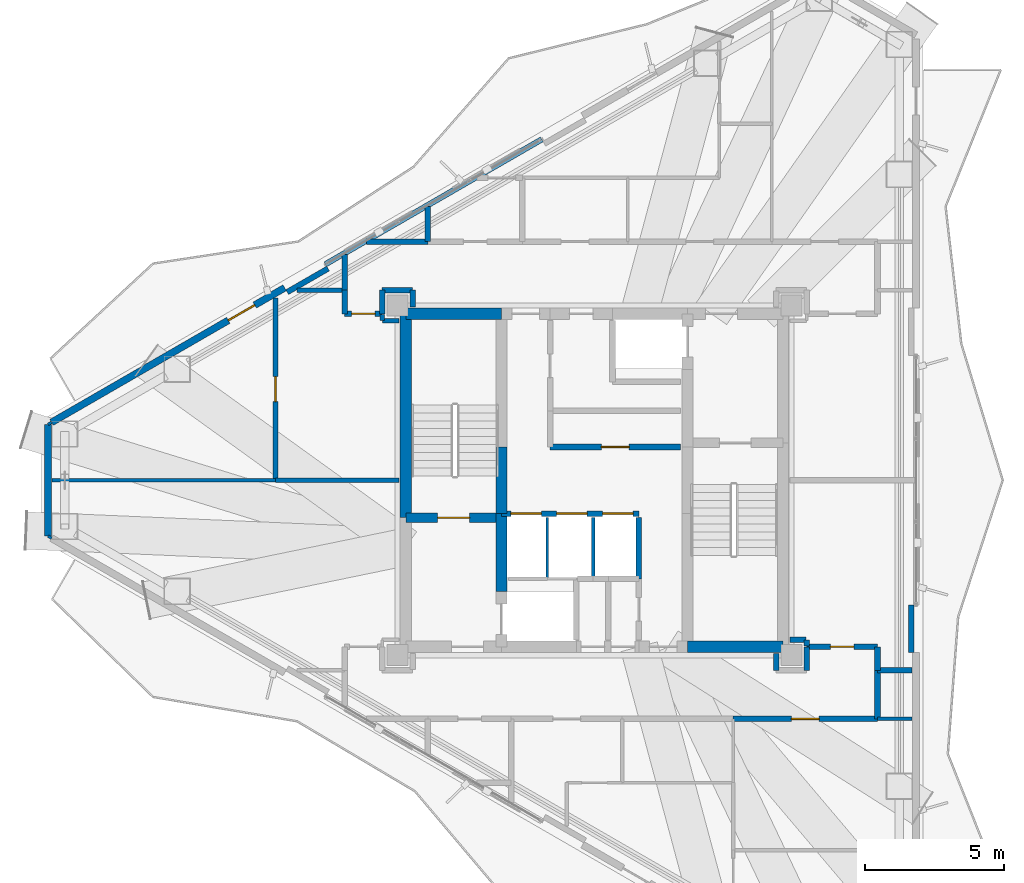
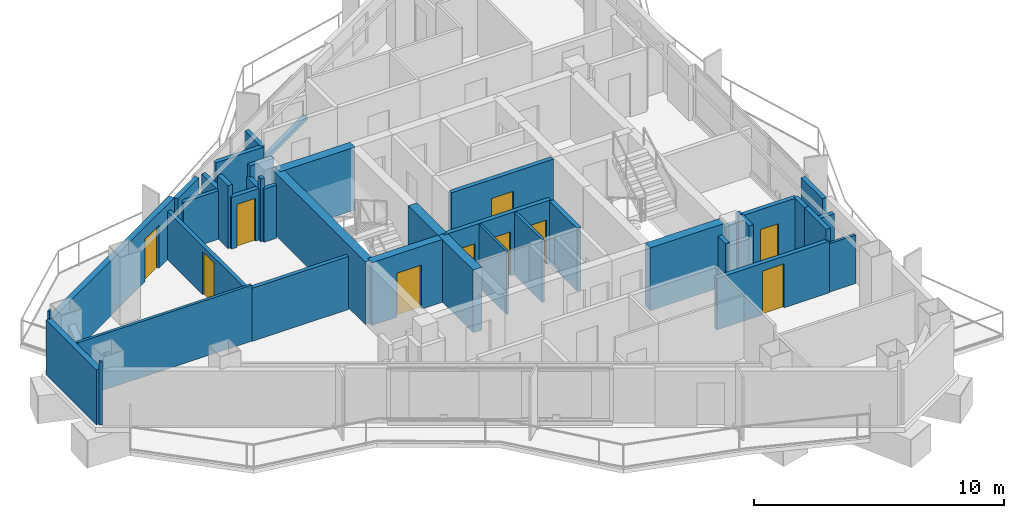
# One storey, part 15 of 19: 42 walls, 10 doors, 10 openings.
"""IFC4 building model written with IfcOpenShell, lengths in metres."""

from ifc_helpers import new_model, si_unit, direction, frame, frame_2d, origin, place, context, subcontext, project, spatial, rectangle, extrude, material, layer, layer_set, type_object, element, fill, save


model = new_model("IFC4")

# Units and contexts
model_context = context("Model", 3, precision=1e-05, world=origin(), true_north=direction((0.0, 1.0)))
body_context = subcontext(model_context, "Body", "Model", "MODEL_VIEW")
ifc_project = project(units=[si_unit("LENGTHUNIT", "METRE"), si_unit("AREAUNIT", "SQUARE_METRE"), si_unit("VOLUMEUNIT", "CUBIC_METRE"), si_unit("PLANEANGLEUNIT", "RADIAN"), si_unit("MASSUNIT", "GRAM", prefix="KILO")], contexts=[model_context])

# Site, building, storey
site_placement = place(None, origin())
site = spatial("IfcSite", under=ifc_project, at=site_placement, CompositionType="ELEMENT")
building_placement = place(site_placement, origin())
building = spatial("IfcBuilding", under=site, at=building_placement, Name="Mersakhor Tower and Convention Hall", CompositionType="ELEMENT")
storey_placement = place(building_placement, frame((0.0, 0.0, 175.5)))
storey = spatial("IfcBuildingStorey", under=building, at=storey_placement, Name="L48", CompositionType="ELEMENT", Elevation=175.5)

# Wall
ifc_material_1 = material(Name="Precast concrete C40/50", Category="concrete")
ifc_layer_1 = layer(ifc_material_1, 0.25)
ifc_layer_set_1 = layer_set([ifc_layer_1], Name="Precast concrete C40/50")
wall_type_1 = type_object("IfcWallType", Name="WL-EXT-250", PredefinedType="SOLIDWALL", material=ifc_layer_set_1)
wall_1_placement = place(storey_placement, frame((9.3076171875, 24.73828125, 0.0), z_axis=(0.0, 0.0, 1.0), x_axis=(0.0, 1.0, 0.0)))
element("IfcWall", 1, at=wall_1_placement, inside=storey, type_object=wall_type_1, Name="L48 Chamfer Braced Spandrel Wall C3", PredefinedType="SOLIDWALL", context=body_context, shape_type="SweptSolid", body=[
    extrude(rectangle(XDim=4.0234375, YDim=0.25, at=frame_2d((2.01171875, 0.0))), origin(), (0.0, 0.0, 1.0), 2.68994140625),
])

# Wall, opening, door
wall_2_placement = place(storey_placement, frame((9.4375, 28.836669921875, 0.0), z_axis=(0.0, 0.0, 1.0), x_axis=(0.866027133173, 0.499997004599, 0.0)))
wall_2 = element("IfcWall", 2, at=wall_2_placement, inside=storey, type_object=wall_type_1, Name="L48 Exterior Facade Wall F1-B1", PredefinedType="SOLIDWALL", context=body_context, shape_type="SweptSolid", body=[
    extrude(rectangle(XDim=9.69873046875, YDim=0.25, at=frame_2d((4.849365234375, 0.0))), origin(), (0.0, 0.0, 1.0), 2.68994140625),
])
opening_1_placement = place(wall_2_placement, frame((7.35205078125, 0.0, 0.0)))
opening_1 = element("IfcOpeningElement", 3, at=opening_1_placement, cuts=wall_2, Name="Opening BD-02", PredefinedType="OPENING", context=body_context, shape_type="SweptSolid", body=[
    extrude(rectangle(XDim=1.10009765625, YDim=2.10009765625, at=frame_2d((0.550048828125, 1.050048828125))), frame((0.0, 0.135009765625, 0.0), z_axis=(0.0, -1.0, 0.0), x_axis=(1.0, 0.0, 0.0)), (0.0, 0.0, 1.0), 0.27001953125),
])
ifc_material_2 = material(Name="Thermally broken dark aluminium and safety glass", Category="aluminium")
door_type_1 = type_object("IfcDoorType", Name="DR-BAL-110x210", OperationType="NOTDEFINED", PredefinedType="DOOR", material=ifc_material_2)
door_1_placement = place(opening_1_placement, origin())
door_1 = element("IfcDoor", 4, at=door_1_placement, inside=storey, type_object=door_type_1, Name="L48 Balcony Terrace Door F1-B1", OperationType="SINGLE_SWING_RIGHT", OverallHeight=2.10009765625, OverallWidth=1.10009765625, PredefinedType="DOOR", context=body_context, shape_type="SweptSolid", body=[
    extrude(rectangle(XDim=1.10009765625, YDim=2.10009765625, at=frame_2d((0.550048828125, 1.050048828125))), frame((0.0, 0.02490234375, 0.0), z_axis=(0.0, -1.0, 0.0), x_axis=(1.0, 0.0, 0.0)), (0.0, 0.0, 1.0), 0.050048828125),
])
fill(opening_1, door_1)

# Walls
ifc_material_3 = material(Name="Precast concrete C40/50", Category="concrete")
ifc_layer_2 = layer(ifc_material_3, 0.199951171875)
ifc_layer_set_2 = layer_set([ifc_layer_2], Name="Precast concrete C40/50")
wall_type_2 = type_object("IfcWallType", Name="WL-PAR-200", PredefinedType="PARAPET", material=ifc_layer_set_2)
wall_3_placement = place(storey_placement, frame((19.30908203125, 34.5361328125, 0.0), z_axis=(0.0, 0.0, 1.0), x_axis=(0.866020680503, 0.500008180874, 0.0)))
element("IfcWall", 5, at=wall_3_placement, inside=storey, type_object=wall_type_2, Name="L48 Curtain Wall Upstand Sill F1-B2", PredefinedType="PARAPET", context=body_context, shape_type="SweptSolid", body=[
    extrude(rectangle(XDim=8.998779296875, YDim=0.199951171875, at=frame_2d((4.49951171875, 0.0))), origin(), (0.0, 0.0, 1.0), 0.199951171875),
])
for number, where, z_axis, x_axis, name in (
    (6, (17.927001953125, 33.5302734375, 0.0), (0.0, 0.0, 1.0), (0.86605165483, 0.499954529098, 0.0), "L48 Column Pier Cladding Wall F1-C1"),
    (7, (40.408447265625, 22.25048828125, 0.0), (0.0, 0.0, 1.0), (0.0, -1.0, 0.0), "L48 Column Pier Cladding Wall F2-C2"),
):
    element("IfcWall", number, at=place(storey_placement, frame(where, z_axis=z_axis, x_axis=x_axis)), inside=storey, type_object=wall_type_2, Name=name, PredefinedType="PARAPET", context=body_context, shape_type="SweptSolid", body=[
        extrude(rectangle(XDim=1.699951171875, YDim=0.199951171875, at=frame_2d((0.85009765625, 0.0))), origin(), (0.0, 0.0, 1.0), 2.68994140625),
    ])
ifc_material_4 = material(Name="Moisture-resistant acoustic drywall studwork", Category="other")
ifc_layer_3 = layer(ifc_material_4, 0.175048828125)
ifc_layer_set_3 = layer_set([ifc_layer_3], Name="Moisture-resistant acoustic drywall studwork")
wall_type_3 = type_object("IfcWallType", Name="WL-PLM-175", PredefinedType="PLUMBINGWALL", material=ifc_layer_set_3)
wall_4_placement = place(storey_placement, frame((21.35009765625, 32.719970703125, 0.0), z_axis=(0.0, 0.0, 1.0), x_axis=(0.0, -1.0, 0.0)))
element("IfcWall", 8, at=wall_4_placement, inside=storey, type_object=wall_type_3, Name="L48 Interior Partition Wall P-050", PredefinedType="PLUMBINGWALL", context=body_context, shape_type="SweptSolid", body=[
    extrude(rectangle(XDim=0.219970703125, YDim=0.175048828125, at=frame_2d((0.10986328125, 0.0))), origin(), (0.0, 0.0, 1.0), 3.070068359375),
])
wall_5_placement = place(storey_placement, frame((21.364990234375, 32.5, 0.0), z_axis=(0.0, 0.0, 1.0), x_axis=(1.0, 0.0, 0.0)))
element("IfcWall", 9, at=wall_5_placement, inside=storey, type_object=wall_type_3, Name="L48 Interior Partition Wall P-051", PredefinedType="PLUMBINGWALL", context=body_context, shape_type="SweptSolid", body=[
    extrude(rectangle(XDim=0.5849609375, YDim=0.175048828125, at=frame_2d((0.29248046875, 0.0))), origin(), (0.0, 0.0, 1.0), 2.594970703125),
])
wall_6_placement = place(storey_placement, frame((21.949951171875, 26.75, 0.0), z_axis=(0.0, 0.0, 1.0), x_axis=(-1.0, 0.0, 0.0)))
element("IfcWall", 10, at=wall_6_placement, inside=storey, type_object=wall_type_3, Name="L48 Interior Partition Wall P-052", PredefinedType="PLUMBINGWALL", context=body_context, shape_type="SweptSolid", body=[
    extrude(rectangle(XDim=4.449951171875, YDim=0.175048828125, at=frame_2d((2.22509765625, 0.0))), origin(), (0.0, 0.0, 1.0), 2.594970703125),
])

# Wall, opening, door
wall_7_placement = place(storey_placement, frame((17.5, 26.75, 0.0), z_axis=(0.0, 0.0, 1.0), x_axis=(0.0, 1.0, 0.0)))
wall_7 = element("IfcWall", 11, at=wall_7_placement, inside=storey, type_object=wall_type_3, Name="L48 Interior Partition Wall P-053", PredefinedType="PLUMBINGWALL", context=body_context, shape_type="SweptSolid", body=[
    extrude(rectangle(XDim=6.569580078125, YDim=0.175048828125, at=frame_2d((3.28466796875, 0.0))), origin(), (0.0, 0.0, 1.0), 2.364990234375),
])
opening_2_placement = place(wall_7_placement, frame((2.834716796875, 0.0, 0.0)))
opening_2 = element("IfcOpeningElement", 12, at=opening_2_placement, cuts=wall_7, Name="Opening WD-01", PredefinedType="OPENING", context=body_context, shape_type="SweptSolid", body=[
    extrude(rectangle(XDim=0.89990234375, YDim=2.10009765625, at=frame_2d((0.449951171875, 1.050048828125))), frame((0.0, 0.097412109375, 0.0), z_axis=(0.0, -1.0, 0.0), x_axis=(1.0, 0.0, 0.0)), (0.0, 0.0, 1.0), 0.195068359375),
])
ifc_material_5 = material(Name="Solid-core hardwood leaf in painted steel frame", Category="steel")
door_type_2 = type_object("IfcDoorType", Name="DR-INT-WET-090x210", OperationType="NOTDEFINED", PredefinedType="DOOR", material=ifc_material_5)
door_2_placement = place(opening_2_placement, origin())
door_2 = element("IfcDoor", 13, at=door_2_placement, inside=storey, type_object=door_type_2, Name="L48 L48 West Wing Public Restroom WC to L48 West Wing Residents Conference Room 1 Door", OperationType="SINGLE_SWING_LEFT", OverallHeight=2.10009765625, OverallWidth=0.89990234375, PredefinedType="DOOR", context=body_context, shape_type="SweptSolid", body=[
    extrude(rectangle(XDim=0.89990234375, YDim=2.10009765625, at=frame_2d((0.449951171875, 1.050048828125))), frame((0.0, 0.02490234375, 0.0), z_axis=(0.0, -1.0, 0.0), x_axis=(1.0, 0.0, 0.0)), (0.0, 0.0, 1.0), 0.050048828125),
])
fill(opening_2, door_2)

# Walls
wall_8_placement = place(storey_placement, frame((18.273193359375, 33.60009765625, 0.0), z_axis=(0.0, 0.0, 1.0), x_axis=(1.0, 0.0, 0.0)))
element("IfcWall", 14, at=wall_8_placement, inside=storey, type_object=wall_type_3, Name="L48 Interior Partition Wall P-054", PredefinedType="PLUMBINGWALL", context=body_context, shape_type="SweptSolid", body=[
    extrude(rectangle(XDim=1.726806640625, YDim=0.175048828125, at=frame_2d((0.86328125, 0.0))), origin(), (0.0, 0.0, 1.0), 2.364990234375),
])
ifc_material_6 = material(Name="Lightweight gypsum partition", Category="other")
ifc_layer_4 = layer(ifc_material_6, 0.10009765625)
ifc_layer_set_4 = layer_set([ifc_layer_4], Name="Lightweight gypsum partition")
wall_type_4 = type_object("IfcWallType", Name="WL-PRT-100", PredefinedType="PARTITIONING", material=ifc_layer_set_4)
wall_9_placement = place(storey_placement, frame((27.300048828125, 25.39990234375, 0.0), z_axis=(0.0, 0.0, 1.0), x_axis=(0.0, -1.0, 0.0)))
element("IfcWall", 15, at=wall_9_placement, inside=storey, type_object=wall_type_4, Name="L48 Interior Partition Wall P-006", PredefinedType="PARTITIONING", context=body_context, shape_type="SweptSolid", body=[
    extrude(rectangle(XDim=2.199951171875, YDim=0.10009765625, at=frame_2d((1.10009765625, 0.0))), origin(), (0.0, 0.0, 1.0), 3.070068359375),
])
for number, where, z_axis, x_axis, name in (
    (16, (9.306884765625, 28.761962890625, 0.0), (0.0, 0.0, 1.0), (0.865833797362, 0.500331725305, 0.0), "L48 Interior Partition Wall P-058"),
    (17, (9.437255859375, 24.662841796875, 0.0), (0.0, 0.0, 1.0), (-0.866239593359, 0.499628829129, 0.0), "L48 Interior Partition Wall P-062"),
):
    element("IfcWall", number, at=place(storey_placement, frame(where, z_axis=z_axis, x_axis=x_axis)), inside=storey, type_object=wall_type_4, Name=name, PredefinedType="PARTITIONING", context=body_context, shape_type="SweptSolid", body=[
        extrude(rectangle(XDim=0.150390625, YDim=0.10009765625, at=frame_2d((0.0751953125, 0.0))), origin(), (0.0, 0.0, 1.0), 3.070068359375),
    ])
ifc_material_7 = material(Name="Gypsum board acoustic partition", Category="other")
ifc_layer_5 = layer(ifc_material_7, 0.125)
ifc_layer_set_5 = layer_set([ifc_layer_5], Name="Gypsum board acoustic partition")
wall_type_5 = type_object("IfcWallType", Name="WL-PRT-125", PredefinedType="PARTITIONING", material=ifc_layer_set_5)
wall_10_placement = place(storey_placement, frame((28.949951171875, 25.39990234375, 0.0), z_axis=(0.0, 0.0, 1.0), x_axis=(0.0, -1.0, 0.0)))
element("IfcWall", 18, at=wall_10_placement, inside=storey, type_object=wall_type_5, Name="L48 Interior Partition Wall P-007", PredefinedType="PARTITIONING", context=body_context, shape_type="SweptSolid", body=[
    extrude(rectangle(XDim=2.199951171875, YDim=0.125, at=frame_2d((1.10009765625, 0.0))), origin(), (0.0, 0.0, 1.0), 3.070068359375),
])
wall_11_placement = place(storey_placement, frame((17.5, 26.75, 0.0), z_axis=(0.0, 0.0, 1.0), x_axis=(-1.0, 0.0, 0.0)))
element("IfcWall", 19, at=wall_11_placement, inside=storey, type_object=wall_type_5, Name="L48 Interior Partition Wall P-057", PredefinedType="PARTITIONING", context=body_context, shape_type="SweptSolid", body=[
    extrude(rectangle(XDim=8.04345703125, YDim=0.125, at=frame_2d((4.021728515625, 0.0))), origin(), (0.0, 0.0, 1.0), 2.734619140625),
])
wall_12_placement = place(storey_placement, frame((39.199951171875, 18.14990234375, 0.0), z_axis=(0.0, 0.0, 1.0), x_axis=(1.0, 0.0, 0.0)))
element("IfcWall", 20, at=wall_12_placement, inside=storey, type_object=wall_type_5, Name="L48 Interior Partition Wall P-093", PredefinedType="PARTITIONING", context=body_context, shape_type="SweptSolid", body=[
    extrude(rectangle(XDim=1.239501953125, YDim=0.125, at=frame_2d((0.61962890625, 0.0))), origin(), (0.0, 0.0, 1.0), 2.364990234375),
])

# Wall, openings, doors
ifc_material_8 = material(Name="Acoustic concrete blockwork and gypsum board", Category="masonry")
ifc_layer_6 = layer(ifc_material_8, 0.199951171875)
ifc_layer_set_6 = layer_set([ifc_layer_6], Name="Acoustic concrete blockwork and gypsum board")
wall_type_6 = type_object("IfcWallType", Name="WL-PRT-200", PredefinedType="PARTITIONING", material=ifc_layer_set_6)
wall_13_placement = place(storey_placement, frame((25.64990234375, 25.550048828125, 0.0), z_axis=(0.0, 0.0, 1.0), x_axis=(1.0, 0.0, 0.0)))
wall_13 = element("IfcWall", 21, at=wall_13_placement, inside=storey, type_object=wall_type_6, Name="L48 High-Rise Lift Bank Front Wall", PredefinedType="PARTITIONING", context=body_context, shape_type="SweptSolid", body=[
    extrude(rectangle(XDim=4.9501953125, YDim=0.199951171875, at=frame_2d((2.47509765625, 0.0))), origin(), (0.0, 0.0, 1.0), 3.070068359375),
])
opening_3_placement = place(wall_13_placement, frame((0.340087890625, 0.0, 0.0)))
opening_3 = element("IfcOpeningElement", 22, at=opening_3_placement, cuts=wall_13, Name="Opening LD-P4", PredefinedType="OPENING", context=body_context, shape_type="SweptSolid", body=[
    extrude(rectangle(XDim=1.10009765625, YDim=2.14990234375, at=frame_2d((0.550048828125, 1.074951171875))), frame((0.0, 0.10986328125, 0.0), z_axis=(0.0, -1.0, 0.0), x_axis=(1.0, 0.0, 0.0)), (0.0, 0.0, 1.0), 0.219970703125),
])
opening_4_placement = place(wall_13_placement, frame((1.989990234375, 0.0, 0.0)))
opening_4 = element("IfcOpeningElement", 23, at=opening_4_placement, cuts=wall_13, Name="Opening LD-P5", PredefinedType="OPENING", context=body_context, shape_type="SweptSolid", body=[
    extrude(rectangle(XDim=1.10009765625, YDim=2.14990234375, at=frame_2d((0.550048828125, 1.074951171875))), frame((0.0, 0.10986328125, 0.0), z_axis=(0.0, -1.0, 0.0), x_axis=(1.0, 0.0, 0.0)), (0.0, 0.0, 1.0), 0.219970703125),
])
opening_5_placement = place(wall_13_placement, frame((3.639892578125, 0.0, 0.0)))
opening_5 = element("IfcOpeningElement", 24, at=opening_5_placement, cuts=wall_13, Name="Opening LD-P6", PredefinedType="OPENING", context=body_context, shape_type="SweptSolid", body=[
    extrude(rectangle(XDim=1.10009765625, YDim=2.14990234375, at=frame_2d((0.550048828125, 1.074951171875))), frame((0.0, 0.10986328125, 0.0), z_axis=(0.0, -1.0, 0.0), x_axis=(1.0, 0.0, 0.0)), (0.0, 0.0, 1.0), 0.219970703125),
])
ifc_material_9 = material(Name="Fire-rated brushed stainless steel sliding landing door", Category="steel")
door_type_3 = type_object("IfcDoorType", Name="DR-LIFT-SLD-110x215", OperationType="NOTDEFINED", PredefinedType="DOOR", material=ifc_material_9)
door_3_placement = place(opening_3_placement, origin())
door_3 = element("IfcDoor", 25, at=door_3_placement, inside=storey, type_object=door_type_3, Name="L48 Lift Landing Door LD-P4", OperationType="SLIDING_TO_LEFT", OverallHeight=2.14990234375, OverallWidth=1.10009765625, PredefinedType="DOOR", context=body_context, shape_type="SweptSolid", body=[
    extrude(rectangle(XDim=1.10009765625, YDim=2.14990234375, at=frame_2d((0.550048828125, 1.074951171875))), frame((0.0, 0.02490234375, 0.0), z_axis=(0.0, -1.0, 0.0), x_axis=(1.0, 0.0, 0.0)), (0.0, 0.0, 1.0), 0.050048828125),
])
fill(opening_3, door_3)
door_4_placement = place(opening_4_placement, origin())
door_4 = element("IfcDoor", 26, at=door_4_placement, inside=storey, type_object=door_type_3, Name="L48 Lift Landing Door LD-P5", OperationType="SLIDING_TO_LEFT", OverallHeight=2.14990234375, OverallWidth=1.10009765625, PredefinedType="DOOR", context=body_context, shape_type="SweptSolid", body=[
    extrude(rectangle(XDim=1.10009765625, YDim=2.14990234375, at=frame_2d((0.550048828125, 1.074951171875))), frame((0.0, 0.02490234375, 0.0), z_axis=(0.0, -1.0, 0.0), x_axis=(1.0, 0.0, 0.0)), (0.0, 0.0, 1.0), 0.050048828125),
])
fill(opening_4, door_4)
door_5_placement = place(opening_5_placement, origin())
door_5 = element("IfcDoor", 27, at=door_5_placement, inside=storey, type_object=door_type_3, Name="L48 Lift Landing Door LD-P6", OperationType="SLIDING_TO_LEFT", OverallHeight=2.14990234375, OverallWidth=1.10009765625, PredefinedType="DOOR", context=body_context, shape_type="SweptSolid", body=[
    extrude(rectangle(XDim=1.10009765625, YDim=2.14990234375, at=frame_2d((0.550048828125, 1.074951171875))), frame((0.0, 0.02490234375, 0.0), z_axis=(0.0, -1.0, 0.0), x_axis=(1.0, 0.0, 0.0)), (0.0, 0.0, 1.0), 0.050048828125),
])
fill(opening_5, door_5)

# Wall
wall_14_placement = place(storey_placement, frame((30.60009765625, 25.39990234375, 0.0), z_axis=(0.0, 0.0, 1.0), x_axis=(0.0, -1.0, 0.0)))
element("IfcWall", 28, at=wall_14_placement, inside=storey, type_object=wall_type_6, Name="L48 Interior Partition Wall P-009", PredefinedType="PARTITIONING", context=body_context, shape_type="SweptSolid", body=[
    extrude(rectangle(XDim=2.199951171875, YDim=0.199951171875, at=frame_2d((1.10009765625, 0.0))), origin(), (0.0, 0.0, 1.0), 3.070068359375),
])

# Wall, opening, door
wall_15_placement = place(storey_placement, frame((27.39990234375, 27.949951171875, 0.0), z_axis=(0.0, 0.0, 1.0), x_axis=(1.0, 0.0, 0.0)))
wall_15 = element("IfcWall", 29, at=wall_15_placement, inside=storey, type_object=wall_type_6, Name="L48 Interior Partition Wall P-015", PredefinedType="PARTITIONING", context=body_context, shape_type="SweptSolid", body=[
    extrude(rectangle(XDim=4.7001953125, YDim=0.199951171875, at=frame_2d((2.35009765625, 0.0))), origin(), (0.0, 0.0, 1.0), 3.070068359375),
])
opening_6_placement = place(wall_15_placement, frame((1.85009765625, 0.0, 0.0)))
opening_6 = element("IfcOpeningElement", 30, at=opening_6_placement, cuts=wall_15, Name="Opening FD-01", PredefinedType="OPENING", context=body_context, shape_type="SweptSolid", body=[
    extrude(rectangle(XDim=1.0, YDim=2.14990234375, at=frame_2d((0.5, 1.074951171875))), frame((0.0, 0.10986328125, 0.0), z_axis=(0.0, -1.0, 0.0), x_axis=(1.0, 0.0, 0.0)), (0.0, 0.0, 1.0), 0.219970703125),
])
ifc_material_10 = material(Name="Fire-rated hardwood leaf and painted steel frame", Category="steel")
door_type_4 = type_object("IfcDoorType", Name="DR-INT-FLT-100x215", OperationType="NOTDEFINED", PredefinedType="DOOR", material=ifc_material_10)
door_6_placement = place(opening_6_placement, origin())
door_6 = element("IfcDoor", 31, at=door_6_placement, inside=storey, type_object=door_type_4, Name="L48 Central Passenger Lift Lobby to Household Laundry Room Door", OperationType="SINGLE_SWING_LEFT", OverallHeight=2.14990234375, OverallWidth=1.0, PredefinedType="DOOR", context=body_context, shape_type="SweptSolid", body=[
    extrude(rectangle(XDim=1.0, YDim=2.14990234375, at=frame_2d((0.5, 1.074951171875))), frame((0.0, 0.02490234375, 0.0), z_axis=(0.0, -1.0, 0.0), x_axis=(1.0, 0.0, 0.0)), (0.0, 0.0, 1.0), 0.050048828125),
])
fill(opening_6, door_6)

# Walls
wall_16_placement = place(storey_placement, frame((22.449951171875, 33.0, 0.0), z_axis=(0.0, 0.0, 1.0), x_axis=(0.0, 1.0, 0.0)))
element("IfcWall", 32, at=wall_16_placement, inside=storey, type_object=wall_type_6, Name="L48 Interior Partition Wall P-022", PredefinedType="PARTITIONING", context=body_context, shape_type="SweptSolid", body=[
    extrude(rectangle(XDim=0.60009765625, YDim=0.199951171875, at=frame_2d((0.300048828125, 0.0))), origin(), (0.0, 0.0, 1.0), 2.594970703125),
])
wall_17_placement = place(storey_placement, frame((22.449951171875, 33.60009765625, 0.0), z_axis=(0.0, 0.0, 1.0), x_axis=(-1.0, 0.0, 0.0)))
element("IfcWall", 33, at=wall_17_placement, inside=storey, type_object=wall_type_6, Name="L48 Interior Partition Wall P-023", PredefinedType="PARTITIONING", context=body_context, shape_type="SweptSolid", body=[
    extrude(rectangle(XDim=1.099853515625, YDim=0.199951171875, at=frame_2d((0.5498046875, 0.0))), origin(), (0.0, 0.0, 1.0), 3.070068359375),
])
wall_18_placement = place(storey_placement, frame((21.35009765625, 33.60009765625, 0.0), z_axis=(0.0, 0.0, 1.0), x_axis=(0.0, -1.0, 0.0)))
element("IfcWall", 34, at=wall_18_placement, inside=storey, type_object=wall_type_6, Name="L48 Interior Partition Wall P-024", PredefinedType="PARTITIONING", context=body_context, shape_type="SweptSolid", body=[
    extrude(rectangle(XDim=0.85009765625, YDim=0.199951171875, at=frame_2d((0.425048828125, 0.0))), origin(), (0.0, 0.0, 1.0), 2.518310546875),
])

# Wall, opening, door
wall_19_placement = place(storey_placement, frame((21.35009765625, 32.75, 0.0), z_axis=(0.0, 0.0, 1.0), x_axis=(-1.0, 0.0, 0.0)))
wall_19 = element("IfcWall", 35, at=wall_19_placement, inside=storey, type_object=wall_type_6, Name="L48 Interior Partition Wall P-025", PredefinedType="PARTITIONING", context=body_context, shape_type="SweptSolid", body=[
    extrude(rectangle(XDim=1.35009765625, YDim=0.199951171875, at=frame_2d((0.675048828125, 0.0))), origin(), (0.0, 0.0, 1.0), 2.518310546875),
])
opening_7_placement = place(wall_19_placement, frame((0.25, 0.0, 0.0)))
opening_7 = element("IfcOpeningElement", 36, at=opening_7_placement, cuts=wall_19, Name="Opening SVD-01", PredefinedType="OPENING", context=body_context, shape_type="SweptSolid", body=[
    extrude(rectangle(XDim=0.85009765625, YDim=2.10009765625, at=frame_2d((0.425048828125, 1.050048828125))), frame((0.0, 0.10986328125, 0.0), z_axis=(0.0, -1.0, 0.0), x_axis=(1.0, 0.0, 0.0)), (0.0, 0.0, 1.0), 0.219970703125),
])
ifc_material_11 = material(Name="Fire-rated hardwood leaf and painted steel frame", Category="steel")
door_type_5 = type_object("IfcDoorType", Name="DR-INT-SVC-085x210", OperationType="NOTDEFINED", PredefinedType="DOOR", material=ifc_material_11)
door_7_placement = place(opening_7_placement, origin())
door_7 = element("IfcDoor", 37, at=door_7_placement, inside=storey, type_object=door_type_5, Name="L48 Residential North Gallery Corridor to L48 West Wing Public Restroom WC Door", OperationType="SINGLE_SWING_LEFT", OverallHeight=2.10009765625, OverallWidth=0.85009765625, PredefinedType="DOOR", context=body_context, shape_type="SweptSolid", body=[
    extrude(rectangle(XDim=0.85009765625, YDim=2.10009765625, at=frame_2d((0.425048828125, 1.050048828125))), frame((0.0, 0.02490234375, 0.0), z_axis=(0.0, -1.0, 0.0), x_axis=(1.0, 0.0, 0.0)), (0.0, 0.0, 1.0), 0.050048828125),
])
fill(opening_7, door_7)

# Walls
wall_20_placement = place(storey_placement, frame((20.0, 32.75, 0.0), z_axis=(0.0, 0.0, 1.0), x_axis=(0.0, 1.0, 0.0)))
element("IfcWall", 38, at=wall_20_placement, inside=storey, type_object=wall_type_6, Name="L48 Interior Partition Wall P-026", PredefinedType="PARTITIONING", context=body_context, shape_type="SweptSolid", body=[
    extrude(rectangle(XDim=0.85009765625, YDim=0.199951171875, at=frame_2d((0.425048828125, 0.0))), origin(), (0.0, 0.0, 1.0), 3.070068359375),
])
wall_21_placement = place(storey_placement, frame((20.0, 33.60009765625, 0.0), z_axis=(0.0, 0.0, 1.0), x_axis=(0.0, 1.0, 0.0)))
element("IfcWall", 39, at=wall_21_placement, inside=storey, type_object=wall_type_6, Name="L48 Interior Partition Wall P-027", PredefinedType="PARTITIONING", context=body_context, shape_type="SweptSolid", body=[
    extrude(rectangle(XDim=1.291015625, YDim=0.199951171875, at=frame_2d((0.6455078125, 0.0))), origin(), (0.0, 0.0, 1.0), 2.364990234375),
])
wall_22_placement = place(storey_placement, frame((20.7880859375, 35.35009765625, 0.0), z_axis=(0.0, 0.0, 1.0), x_axis=(1.0, 0.0, 0.0)))
element("IfcWall", 40, at=wall_22_placement, inside=storey, type_object=wall_type_6, Name="L48 Interior Partition Wall P-028", PredefinedType="PARTITIONING", context=body_context, shape_type="SweptSolid", body=[
    extrude(rectangle(XDim=2.2119140625, YDim=0.199951171875, at=frame_2d((1.10595703125, 0.0))), origin(), (0.0, 0.0, 1.0), 2.364990234375),
])
wall_23_placement = place(storey_placement, frame((35.550048828125, 20.5, 0.0), z_axis=(0.0, 0.0, 1.0), x_axis=(0.0, -1.0, 0.0)))
element("IfcWall", 41, at=wall_23_placement, inside=storey, type_object=wall_type_6, Name="L48 Interior Partition Wall P-037", PredefinedType="PARTITIONING", context=body_context, shape_type="SweptSolid", body=[
    extrude(rectangle(XDim=0.60009765625, YDim=0.199951171875, at=frame_2d((0.300048828125, 0.0))), origin(), (0.0, 0.0, 1.0), 2.594970703125),
])
wall_24_placement = place(storey_placement, frame((36.64990234375, 19.89990234375, 0.0), z_axis=(0.0, 0.0, 1.0), x_axis=(0.0, 1.0, 0.0)))
element("IfcWall", 42, at=wall_24_placement, inside=storey, type_object=wall_type_6, Name="L48 Interior Partition Wall P-039", PredefinedType="PARTITIONING", context=body_context, shape_type="SweptSolid", body=[
    extrude(rectangle(XDim=0.85009765625, YDim=0.199951171875, at=frame_2d((0.425048828125, 0.0))), origin(), (0.0, 0.0, 1.0), 3.070068359375),
])

# Wall, opening, door
wall_25_placement = place(storey_placement, frame((36.64990234375, 20.75, 0.0), z_axis=(0.0, 0.0, 1.0), x_axis=(1.0, 0.0, 0.0)))
wall_25 = element("IfcWall", 43, at=wall_25_placement, inside=storey, type_object=wall_type_6, Name="L48 Interior Partition Wall P-040", PredefinedType="PARTITIONING", context=body_context, shape_type="SweptSolid", body=[
    extrude(rectangle(XDim=2.550048828125, YDim=0.199951171875, at=frame_2d((1.27490234375, 0.0))), origin(), (0.0, 0.0, 1.0), 3.070068359375),
])
opening_8_placement = place(wall_25_placement, frame((0.85009765625, 0.0, 0.0)))
opening_8 = element("IfcOpeningElement", 44, at=opening_8_placement, cuts=wall_25, Name="Opening SVD-01", PredefinedType="OPENING", context=body_context, shape_type="SweptSolid", body=[
    extrude(rectangle(XDim=0.85009765625, YDim=2.10009765625, at=frame_2d((0.425048828125, 1.050048828125))), frame((0.0, 0.10986328125, 0.0), z_axis=(0.0, -1.0, 0.0), x_axis=(1.0, 0.0, 0.0)), (0.0, 0.0, 1.0), 0.219970703125),
])
door_8_placement = place(opening_8_placement, origin())
door_8 = element("IfcDoor", 45, at=door_8_placement, inside=storey, type_object=door_type_5, Name="L48 Residential South Gallery Corridor to L48 East Wing Household Store Door", OperationType="SINGLE_SWING_LEFT", OverallHeight=2.10009765625, OverallWidth=0.85009765625, PredefinedType="DOOR", context=body_context, shape_type="SweptSolid", body=[
    extrude(rectangle(XDim=0.85009765625, YDim=2.10009765625, at=frame_2d((0.425048828125, 1.050048828125))), frame((0.0, 0.02490234375, 0.0), z_axis=(0.0, -1.0, 0.0), x_axis=(1.0, 0.0, 0.0)), (0.0, 0.0, 1.0), 0.050048828125),
])
fill(opening_8, door_8)

# Walls
wall_26_placement = place(storey_placement, frame((39.199951171875, 20.75, 0.0), z_axis=(0.0, 0.0, 1.0), x_axis=(0.0, -1.0, 0.0)))
element("IfcWall", 46, at=wall_26_placement, inside=storey, type_object=wall_type_6, Name="L48 Interior Partition Wall P-041", PredefinedType="PARTITIONING", context=body_context, shape_type="SweptSolid", body=[
    extrude(rectangle(XDim=0.85009765625, YDim=0.199951171875, at=frame_2d((0.425048828125, 0.0))), origin(), (0.0, 0.0, 1.0), 3.070068359375),
])
wall_27_placement = place(storey_placement, frame((39.199951171875, 19.89990234375, 0.0), z_axis=(0.0, 0.0, 1.0), x_axis=(0.0, -1.0, 0.0)))
element("IfcWall", 47, at=wall_27_placement, inside=storey, type_object=wall_type_6, Name="L48 Interior Partition Wall P-042", PredefinedType="PARTITIONING", context=body_context, shape_type="SweptSolid", body=[
    extrude(rectangle(XDim=1.75, YDim=0.199951171875, at=frame_2d((0.875, 0.0))), origin(), (0.0, 0.0, 1.0), 3.070068359375),
])

# Wall, opening, door
wall_28_placement = place(storey_placement, frame((39.199951171875, 18.14990234375, 0.0), z_axis=(0.0, 0.0, 1.0), x_axis=(-1.0, 0.0, 0.0)))
wall_28 = element("IfcWall", 48, at=wall_28_placement, inside=storey, type_object=wall_type_6, Name="L48 Interior Partition Wall P-043", PredefinedType="PARTITIONING", context=body_context, shape_type="SweptSolid", body=[
    extrude(rectangle(XDim=5.199951171875, YDim=0.199951171875, at=frame_2d((2.60009765625, 0.0))), origin(), (0.0, 0.0, 1.0), 2.518310546875),
])
opening_9_placement = place(wall_28_placement, frame((2.10009765625, 0.0, 0.0)))
opening_9 = element("IfcOpeningElement", 49, at=opening_9_placement, cuts=wall_28, Name="Opening FD-01", PredefinedType="OPENING", context=body_context, shape_type="SweptSolid", body=[
    extrude(rectangle(XDim=1.0, YDim=2.14990234375, at=frame_2d((0.5, 1.074951171875))), frame((0.0, 0.10986328125, 0.0), z_axis=(0.0, -1.0, 0.0), x_axis=(1.0, 0.0, 0.0)), (0.0, 0.0, 1.0), 0.219970703125),
])
door_9_placement = place(opening_9_placement, origin())
door_9 = element("IfcDoor", 50, at=door_9_placement, inside=storey, type_object=door_type_4, Name="L48 Residential South Gallery Corridor to L48 Floor Residents Study Room 2-5 Door", OperationType="SINGLE_SWING_RIGHT", OverallHeight=2.14990234375, OverallWidth=1.0, PredefinedType="DOOR", context=body_context, shape_type="SweptSolid", body=[
    extrude(rectangle(XDim=1.0, YDim=2.14990234375, at=frame_2d((0.5, 1.074951171875))), frame((0.0, 0.02490234375, 0.0), z_axis=(0.0, -1.0, 0.0), x_axis=(1.0, 0.0, 0.0)), (0.0, 0.0, 1.0), 0.050048828125),
])
fill(opening_9, door_9)

# Walls
wall_29_placement = place(storey_placement, frame((36.64990234375, 20.780029296875, 0.0), z_axis=(0.0, 0.0, 1.0), x_axis=(0.0, 1.0, 0.0)))
element("IfcWall", 51, at=wall_29_placement, inside=storey, type_object=wall_type_6, Name="L48 Interior Partition Wall P-067", PredefinedType="PARTITIONING", context=body_context, shape_type="SweptSolid", body=[
    extrude(rectangle(XDim=0.219970703125, YDim=0.199951171875, at=frame_2d((0.10986328125, 0.0))), origin(), (0.0, 0.0, 1.0), 3.070068359375),
])
wall_30_placement = place(storey_placement, frame((36.6201171875, 21.0, 0.0), z_axis=(0.0, 0.0, 1.0), x_axis=(-1.0, 0.0, 0.0)))
element("IfcWall", 52, at=wall_30_placement, inside=storey, type_object=wall_type_6, Name="L48 Interior Partition Wall P-068", PredefinedType="PARTITIONING", context=body_context, shape_type="SweptSolid", body=[
    extrude(rectangle(XDim=0.570068359375, YDim=0.199951171875, at=frame_2d((0.28515625, 0.0))), origin(), (0.0, 0.0, 1.0), 2.594970703125),
])
wall_31_placement = place(storey_placement, frame((40.439453125, 19.89990234375, 0.0), z_axis=(0.0, 0.0, 1.0), x_axis=(-1.0, 0.0, 0.0)))
element("IfcWall", 53, at=wall_31_placement, inside=storey, type_object=wall_type_6, Name="L48 Interior Partition Wall P-069", PredefinedType="PARTITIONING", context=body_context, shape_type="SweptSolid", body=[
    extrude(rectangle(XDim=1.239501953125, YDim=0.199951171875, at=frame_2d((0.61962890625, 0.0))), origin(), (0.0, 0.0, 1.0), 2.364990234375),
])
wall_32_placement = place(storey_placement, frame((23.0, 35.35009765625, 0.0), z_axis=(0.0, 0.0, 1.0), x_axis=(0.0, 1.0, 0.0)))
element("IfcWall", 54, at=wall_32_placement, inside=storey, type_object=wall_type_6, Name="L48 Interior Partition Wall P-072", PredefinedType="PARTITIONING", context=body_context, shape_type="SweptSolid", body=[
    extrude(rectangle(XDim=1.27294921875, YDim=0.199951171875, at=frame_2d((0.636474609375, 0.0))), origin(), (0.0, 0.0, 1.0), 2.364990234375),
])

# Wall, opening, door
ifc_material_12 = material(Name="Concrete C50/60", Category="concrete")
ifc_layer_7 = layer(ifc_material_12, 0.35009765625)
ifc_layer_set_7 = layer_set([ifc_layer_7], Name="Concrete C50/60")
wall_type_7 = type_object("IfcWallType", Name="WL-SHR-350", PredefinedType="SHEAR", material=ifc_layer_set_7)
wall_33_placement = place(storey_placement, frame((22.199951171875, 25.39990234375, 0.0), z_axis=(0.0, 0.0, 1.0), x_axis=(1.0, 0.0, 0.0)))
wall_33 = element("IfcWall", 55, at=wall_33_placement, inside=storey, type_object=wall_type_7, Name="L48 Core Wall CS-ST1-S", PredefinedType="SHEAR", context=body_context, shape_type="SweptSolid", body=[
    extrude(rectangle(XDim=3.449951171875, YDim=0.35009765625, at=frame_2d((1.72509765625, 0.0))), origin(), (0.0, 0.0, 1.0), 3.070068359375),
])
opening_10_placement = place(wall_33_placement, frame((1.14990234375, 0.0, 0.0)))
opening_10 = element("IfcOpeningElement", 56, at=opening_10_placement, cuts=wall_33, Name="Opening SD-01", PredefinedType="OPENING", context=body_context, shape_type="SweptSolid", body=[
    extrude(rectangle(XDim=1.14990234375, YDim=2.14990234375, at=frame_2d((0.574951171875, 1.074951171875))), frame((0.0, 0.18505859375, 0.0), z_axis=(0.0, -1.0, 0.0), x_axis=(1.0, 0.0, 0.0)), (0.0, 0.0, 1.0), 0.3701171875),
])
ifc_material_13 = material(Name="Fire-rated hardwood leaf and painted steel frame", Category="steel")
door_type_6 = type_object("IfcDoorType", Name="DR-INT-STAIR-115x215", OperationType="NOTDEFINED", PredefinedType="DOOR", material=ifc_material_13)
door_10_placement = place(opening_10_placement, origin())
door_10 = element("IfcDoor", 57, at=door_10_placement, inside=storey, type_object=door_type_6, Name="L48 Exit Stair ST-1 Enclosure Door", OperationType="SINGLE_SWING_LEFT", OverallHeight=2.14990234375, OverallWidth=1.14990234375, PredefinedType="DOOR", context=body_context, shape_type="SweptSolid", body=[
    extrude(rectangle(XDim=1.14990234375, YDim=2.14990234375, at=frame_2d((0.574951171875, 1.074951171875))), frame((0.0, 0.02490234375, 0.0), z_axis=(0.0, -1.0, 0.0), x_axis=(1.0, 0.0, 0.0)), (0.0, 0.0, 1.0), 0.050048828125),
])
fill(opening_10, door_10)

# Walls
ifc_material_14 = material(Name="Concrete C60/75", Category="concrete")
ifc_layer_8 = layer(ifc_material_14, 0.39990234375)
ifc_layer_set_8 = layer_set([ifc_layer_8], Name="Concrete C60/75")
wall_type_8 = type_object("IfcWallType", Name="WL-SHR-400", PredefinedType="SHEAR", material=ifc_layer_set_8)
wall_34_placement = place(storey_placement, frame((22.199951171875, 25.39990234375, 0.0), z_axis=(0.0, 0.0, 1.0), x_axis=(0.0, 1.0, 0.0)))
element("IfcWall", 58, at=wall_34_placement, inside=storey, type_object=wall_type_8, Name="L48 Core Wall CW-W2", PredefinedType="SHEAR", context=body_context, shape_type="SweptSolid", body=[
    extrude(rectangle(XDim=7.35009765625, YDim=0.39990234375, at=frame_2d((3.675048828125, 0.0))), origin(), (0.0, 0.0, 1.0), 3.070068359375),
])
for number, where, z_axis, x_axis, name in (
    (59, (22.199951171875, 32.75, 0.0), (0.0, 0.0, 1.0), (1.0, 0.0, 0.0), "L48 Core Wall CW-N1"),
    (60, (35.800048828125, 20.75, 0.0), (0.0, 0.0, 1.0), (-1.0, 0.0, 0.0), "L48 Core Wall CW-S1"),
):
    element("IfcWall", number, at=place(storey_placement, frame(where, z_axis=z_axis, x_axis=x_axis)), inside=storey, type_object=wall_type_8, Name=name, PredefinedType="SHEAR", context=body_context, shape_type="SweptSolid", body=[
        extrude(rectangle(XDim=3.449951171875, YDim=0.39990234375, at=frame_2d((1.72509765625, 0.0))), origin(), (0.0, 0.0, 1.0), 3.070068359375),
    ])
wall_35_placement = place(storey_placement, frame((25.64990234375, 22.75, 0.0), z_axis=(0.0, 0.0, 1.0), x_axis=(0.0, 1.0, 0.0)))
element("IfcWall", 61, at=wall_35_placement, inside=storey, type_object=wall_type_8, Name="L48 Core Wall CS-W-MID", PredefinedType="SHEAR", context=body_context, shape_type="SweptSolid", body=[
    extrude(rectangle(XDim=2.800048828125, YDim=0.39990234375, at=frame_2d((1.39990234375, 0.0))), origin(), (0.0, 0.0, 1.0), 3.070068359375),
])
wall_36_placement = place(storey_placement, frame((25.64990234375, 25.550048828125, 0.0), z_axis=(0.0, 0.0, 1.0), x_axis=(0.0, 1.0, 0.0)))
element("IfcWall", 62, at=wall_36_placement, inside=storey, type_object=wall_type_8, Name="L48 Core Wall CS-W-LOB", PredefinedType="SHEAR", context=body_context, shape_type="SweptSolid", body=[
    extrude(rectangle(XDim=2.39990234375, YDim=0.39990234375, at=frame_2d((1.199951171875, 0.0))), origin(), (0.0, 0.0, 1.0), 3.070068359375),
])

save(model, "model.ifc")
